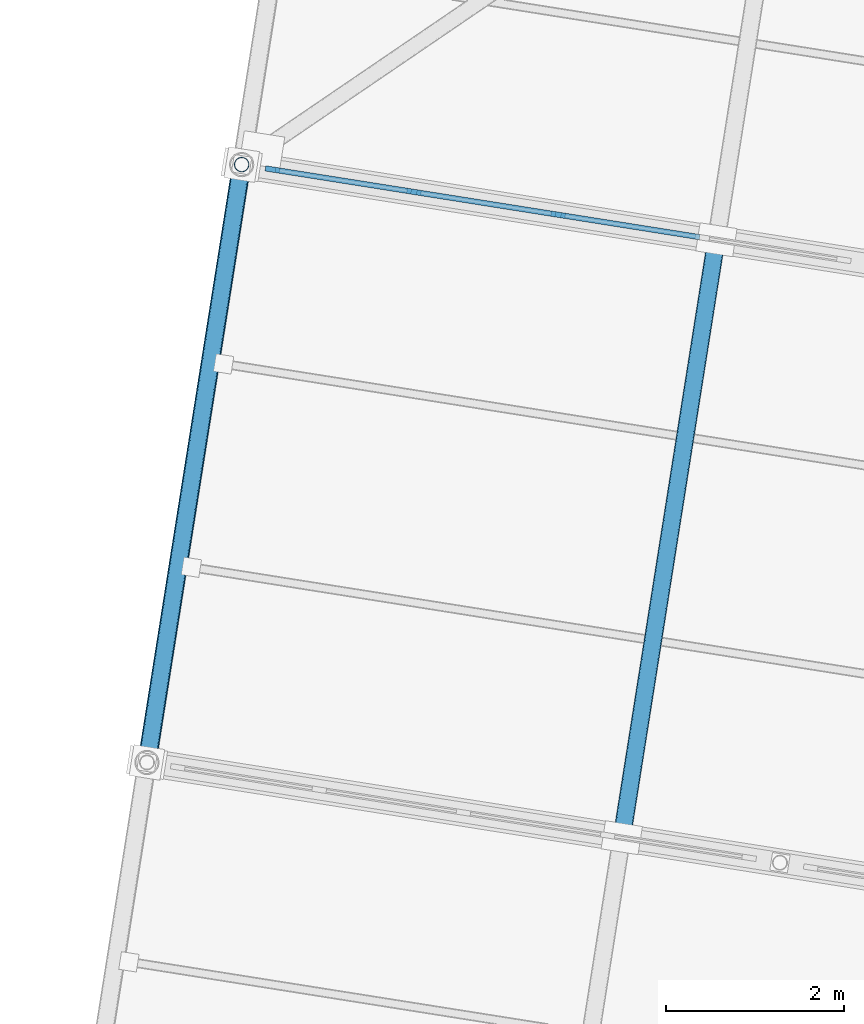
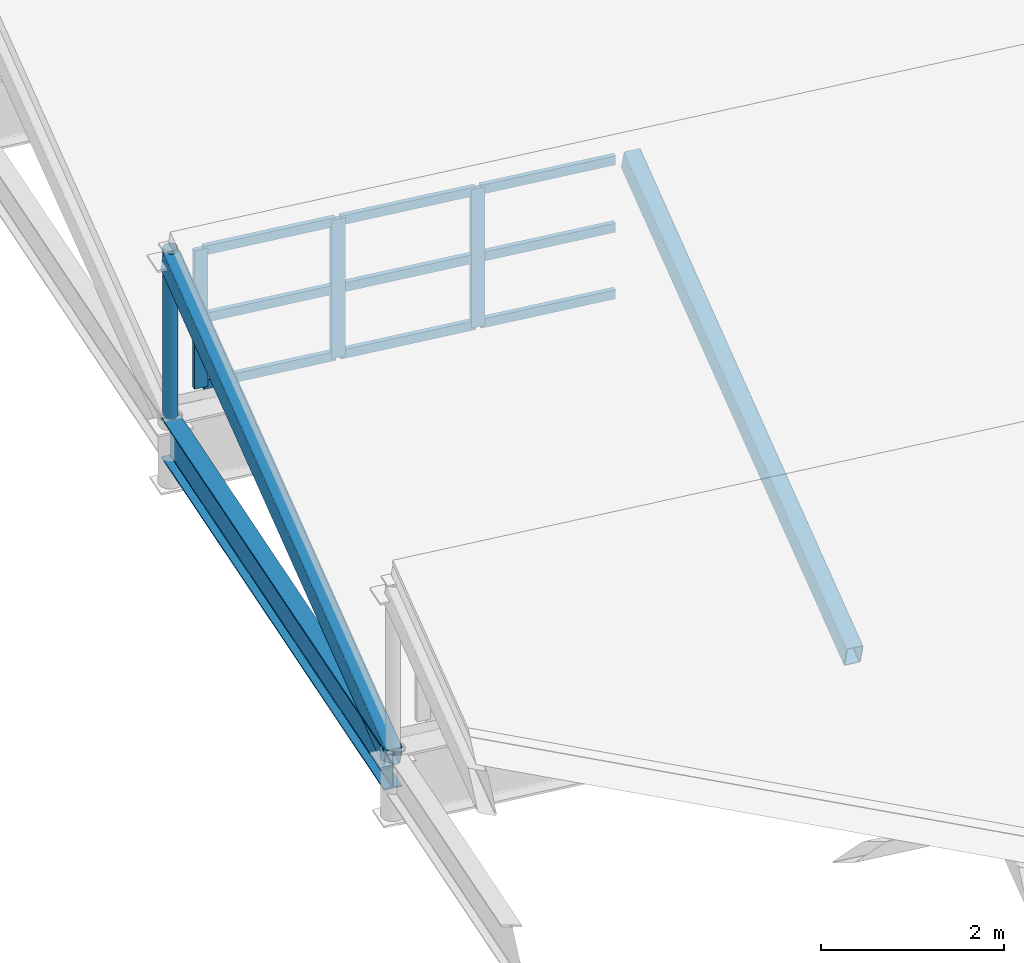
# One storey, part 43 of 65: 15 members, 1 beam, 1 element without a shape of its own.
"""IFC4 building model written with IfcOpenShell, lengths in metres."""

from ifc_helpers import new_model, si_unit, direction, frame, origin, origin_2d, place, context, subcontext, project, spatial, rectangle, hollow_rectangle, hollow_circle, i_section, extrude, material, material_profile, profile_set, type_object, element, aggregate, save


model = new_model("IFC4")

# Units and contexts
model_context = context("Model", 3, precision=1e-05, world=origin(), true_north=direction((0.0, 1.0)))
body_context = subcontext(model_context, "Body", "Model", "MODEL_VIEW")
ifc_project = project(units=[si_unit("LENGTHUNIT", "METRE"), si_unit("AREAUNIT", "SQUARE_METRE"), si_unit("VOLUMEUNIT", "CUBIC_METRE"), si_unit("PLANEANGLEUNIT", "RADIAN"), si_unit("MASSUNIT", "GRAM", prefix="KILO")], contexts=[model_context])

# Site, building, storey
site_placement = place(None, origin())
site = spatial("IfcSite", under=ifc_project, at=site_placement, CompositionType="ELEMENT")
building_placement = place(site_placement, origin())
building = spatial("IfcBuilding", under=site, at=building_placement, Name="Cinderway Yard Community Centre", CompositionType="ELEMENT")
storey_placement = place(building_placement, frame((0.0, 0.0, 24.300048828125)))
storey = spatial("IfcBuildingStorey", under=building, at=storey_placement, Name="RF", CompositionType="ELEMENT", Elevation=24.300048828125)

# Curtain wall, members
ifc_material_1 = material(Name="Aluminium 6063-T6", Category="aluminium")
curtain_wall_type = type_object("IfcCurtainWallType", Name="ENV-CW-TYPE-23", PredefinedType="USERDEFINED", material=ifc_material_1)
curtain_wall_placement = place(storey_placement, origin())
curtain_wall = element("IfcCurtainWall", 1, at=curtain_wall_placement, inside=storey, type_object=curtain_wall_type, Name="Sawtooth North-Light Clerestory ENV-CW-RF-ST-0084", ObjectType="GLAZED CURTAIN WALL", PredefinedType="USERDEFINED")
ifc_material_profile_1 = material_profile(ifc_material_1, rectangle(XDim=0.06005859375, YDim=0.159912109375, at=origin_2d()), Name="Aluminium 6063-T6")
ifc_profile_set_1 = profile_set([ifc_material_profile_1], Name="Aluminium 6063-T6")
member_type_1 = type_object("IfcMemberType", Name="ENV-CW-MULL-150", PredefinedType="MULLION", material=ifc_profile_set_1)
member_1_placement = place(storey_placement, frame((123.66455078125, 71.5263671875, -10.199951171875), z_axis=(0.0, 0.0, 1.0), x_axis=(0.15640876877, 0.987692410142, 0.0)))
member_1 = element("IfcMember", 2, at=member_1_placement, type_object=member_type_1, Name="CW-23 mullion 1", PredefinedType="MULLION", context=body_context, shape_type="SweptSolid", body=[
    extrude(rectangle(XDim=0.06005859375, YDim=0.159912109375, at=origin_2d()), origin(), (0.0, 0.0, 1.0), 1.849853515625),
])
member_2_placement = place(storey_placement, frame((125.254638671875, 71.2744140625, -10.199951171875), z_axis=(0.0, 0.0, 1.0), x_axis=(0.15640876877, 0.987692410142, 0.0)))
member_2 = element("IfcMember", 3, at=member_2_placement, type_object=member_type_1, Name="CW-23 mullion 2", PredefinedType="MULLION", context=body_context, shape_type="SweptSolid", body=[
    extrude(rectangle(XDim=0.06005859375, YDim=0.159912109375, at=origin_2d()), origin(), (0.0, 0.0, 1.0), 1.849853515625),
])
member_3_placement = place(storey_placement, frame((126.87451171875, 71.01806640625, -10.199951171875), z_axis=(0.0, 0.0, 1.0), x_axis=(0.15640876877, 0.987692410142, 0.0)))
member_3 = element("IfcMember", 4, at=member_3_placement, type_object=member_type_1, Name="CW-23 mullion 3", PredefinedType="MULLION", context=body_context, shape_type="SweptSolid", body=[
    extrude(rectangle(XDim=0.06005859375, YDim=0.159912109375, at=origin_2d()), origin(), (0.0, 0.0, 1.0), 1.849853515625),
])
ifc_material_profile_2 = material_profile(ifc_material_1, rectangle(XDim=0.06005859375, YDim=0.1201171875, at=origin_2d()), Name="Aluminium 6063-T6")
ifc_profile_set_2 = profile_set([ifc_material_profile_2], Name="Aluminium 6063-T6")
member_type_2 = type_object("IfcMemberType", Name="ENV-CW-TRAN-110", PredefinedType="USERDEFINED", material=ifc_profile_set_2)
member_4_placement = place(storey_placement, frame((123.6943359375, 71.521728515625, -10.170166015625), z_axis=(0.987690055006, -0.15642364029, 0.0), x_axis=(0.15642364029, 0.987690055006, 0.0)))
member_4 = element("IfcMember", 5, at=member_4_placement, type_object=member_type_2, Name="CW-23 transom 1.1", ObjectType="TRANSOM", PredefinedType="USERDEFINED", context=body_context, shape_type="SweptSolid", body=[
    extrude(rectangle(XDim=0.06005859375, YDim=0.1201171875, at=origin_2d()), origin(), (0.0, 0.0, 1.0), 1.5498046875),
])
member_5_placement = place(storey_placement, frame((123.6943359375, 71.521728515625, -9.280029296875), z_axis=(0.987690055006, -0.15642364029, 0.0), x_axis=(0.15642364029, 0.987690055006, 0.0)))
member_5 = element("IfcMember", 6, at=member_5_placement, type_object=member_type_2, Name="CW-23 transom 1.2", ObjectType="TRANSOM", PredefinedType="USERDEFINED", context=body_context, shape_type="SweptSolid", body=[
    extrude(rectangle(XDim=0.06005859375, YDim=0.1201171875, at=origin_2d()), origin(), (0.0, 0.0, 1.0), 1.5498046875),
])
member_6_placement = place(storey_placement, frame((123.6943359375, 71.521728515625, -8.380126953125), z_axis=(0.987690055006, -0.15642364029, 0.0), x_axis=(0.15642364029, 0.987690055006, 0.0)))
member_6 = element("IfcMember", 7, at=member_6_placement, type_object=member_type_2, Name="CW-23 transom 1.3", ObjectType="TRANSOM", PredefinedType="USERDEFINED", context=body_context, shape_type="SweptSolid", body=[
    extrude(rectangle(XDim=0.06005859375, YDim=0.1201171875, at=origin_2d()), origin(), (0.0, 0.0, 1.0), 1.5498046875),
])
member_7_placement = place(storey_placement, frame((125.284423828125, 71.269775390625, -10.170166015625), z_axis=(0.987697729788, -0.156375172488, 0.0), x_axis=(0.156375172488, 0.987697729788, 0.0)))
member_7 = element("IfcMember", 8, at=member_7_placement, type_object=member_type_2, Name="CW-23 transom 2.1", ObjectType="TRANSOM", PredefinedType="USERDEFINED", context=body_context, shape_type="SweptSolid", body=[
    extrude(rectangle(XDim=0.06005859375, YDim=0.1201171875, at=origin_2d()), origin(), (0.0, 0.0, 1.0), 1.580078125),
])
member_8_placement = place(storey_placement, frame((125.284423828125, 71.269775390625, -9.280029296875), z_axis=(0.987697729788, -0.156375172488, 0.0), x_axis=(0.156375172488, 0.987697729788, 0.0)))
member_8 = element("IfcMember", 9, at=member_8_placement, type_object=member_type_2, Name="CW-23 transom 2.2", ObjectType="TRANSOM", PredefinedType="USERDEFINED", context=body_context, shape_type="SweptSolid", body=[
    extrude(rectangle(XDim=0.06005859375, YDim=0.1201171875, at=origin_2d()), origin(), (0.0, 0.0, 1.0), 1.580078125),
])
member_9_placement = place(storey_placement, frame((125.284423828125, 71.269775390625, -8.380126953125), z_axis=(0.987697729788, -0.156375172488, 0.0), x_axis=(0.156375172488, 0.987697729788, 0.0)))
member_9 = element("IfcMember", 10, at=member_9_placement, type_object=member_type_2, Name="CW-23 transom 2.3", ObjectType="TRANSOM", PredefinedType="USERDEFINED", context=body_context, shape_type="SweptSolid", body=[
    extrude(rectangle(XDim=0.06005859375, YDim=0.1201171875, at=origin_2d()), origin(), (0.0, 0.0, 1.0), 1.580078125),
])
member_10_placement = place(storey_placement, frame((126.904052734375, 71.013427734375, -10.170166015625), z_axis=(0.98767385289, -0.156525909414, 0.0), x_axis=(0.156525909414, 0.98767385289, 0.0)))
member_10 = element("IfcMember", 11, at=member_10_placement, type_object=member_type_2, Name="CW-23 transom 3.1", ObjectType="TRANSOM", PredefinedType="USERDEFINED", context=body_context, shape_type="SweptSolid", body=[
    extrude(rectangle(XDim=0.06005859375, YDim=0.1201171875, at=origin_2d()), origin(), (0.0, 0.0, 1.0), 1.580078125),
])
member_11_placement = place(storey_placement, frame((126.904052734375, 71.013427734375, -9.280029296875), z_axis=(0.98767385289, -0.156525909414, 0.0), x_axis=(0.156525909414, 0.98767385289, 0.0)))
member_11 = element("IfcMember", 12, at=member_11_placement, type_object=member_type_2, Name="CW-23 transom 3.2", ObjectType="TRANSOM", PredefinedType="USERDEFINED", context=body_context, shape_type="SweptSolid", body=[
    extrude(rectangle(XDim=0.06005859375, YDim=0.1201171875, at=origin_2d()), origin(), (0.0, 0.0, 1.0), 1.580078125),
])
member_12_placement = place(storey_placement, frame((126.904052734375, 71.013427734375, -8.380126953125), z_axis=(0.98767385289, -0.156525909414, 0.0), x_axis=(0.156525909414, 0.98767385289, 0.0)))
member_12 = element("IfcMember", 13, at=member_12_placement, type_object=member_type_2, Name="CW-23 transom 3.3", ObjectType="TRANSOM", PredefinedType="USERDEFINED", context=body_context, shape_type="SweptSolid", body=[
    extrude(rectangle(XDim=0.06005859375, YDim=0.1201171875, at=origin_2d()), origin(), (0.0, 0.0, 1.0), 1.580078125),
])
aggregate(curtain_wall, [member_1, member_2, member_3, member_4, member_5, member_6, member_7, member_8, member_9, member_10, member_11, member_12])

# Beam
ifc_material_2 = material(Name="Steel S355", Category="steel")
ifc_material_profile_3 = material_profile(ifc_material_2, i_section(OverallWidth=0.2109375, OverallDepth=0.5390625, WebThickness=0.010986328125, FlangeThickness=0.017333984375, FilletRadius=0.013916015625, at=origin_2d()), Name="Steel S355")
ifc_profile_set_3 = profile_set([ifc_material_profile_3], Name="Steel S355")
beam_type = type_object("IfcBeamType", Name="STR-BM-W530X109", PredefinedType="BEAM", material=ifc_profile_set_3)
beam_placement = place(storey_placement, frame((122.2548828125, 64.864990234375, -10.77001953125), z_axis=(0.15650460011, 0.987677229739, 0.0), x_axis=(-0.987677229739, 0.15650460011, 0.0)))
element("IfcBeam", 14, at=beam_placement, inside=storey, type_object=beam_type, Name="Sports eave beam W STR-BM-RF-SB06-1022", PredefinedType="BEAM", context=body_context, shape_type="SweptSolid", body=[
    extrude(i_section(OverallWidth=0.2109375, OverallDepth=0.5390625, WebThickness=0.010986328125, FlangeThickness=0.017333984375, FilletRadius=0.013916015625, at=origin_2d()), origin(), (0.0, 0.0, 1.0), 6.7998046875),
])

# Members
ifc_material_profile_4 = material_profile(ifc_material_2, hollow_rectangle(XDim=0.199951171875, YDim=0.300048828125, WallThickness=0.012451171875, InnerFilletRadius=0.012451171875, OuterFilletRadius=0.02490234375, at=origin_2d()), Name="Steel S355")
ifc_profile_set_4 = profile_set([ifc_material_profile_4], Name="Steel S355")
member_type_3 = type_object("IfcMemberType", Name="STR-MEM-RAFTER-300", PredefinedType="RAFTER", material=ifc_profile_set_4)
member_13_placement = place(storey_placement, frame((122.2548828125, 64.864990234375, -10.6201171875), z_axis=(0.148905461455, 0.939720197099, 0.307819938786), x_axis=(-0.987677229739, 0.15650460011, 0.0)))
element("IfcMember", 15, at=member_13_placement, inside=storey, type_object=member_type_3, Name="Sawtooth raked rafter B5-000", PredefinedType="RAFTER", context=body_context, shape_type="SweptSolid", body=[
    extrude(hollow_rectangle(XDim=0.199951171875, YDim=0.300048828125, WallThickness=0.012451171875, InnerFilletRadius=0.012451171875, OuterFilletRadius=0.02490234375, at=origin_2d()), origin(), (0.0, 0.0, 1.0), 7.14697265625),
])
member_14_placement = place(storey_placement, frame((127.589111328125, 64.02001953125, -10.6201171875), z_axis=(0.148719342481, 0.939760052754, 0.307788239573), x_axis=(-0.987708473463, 0.15630729813, 0.0)))
element("IfcMember", 16, at=member_14_placement, inside=storey, type_object=member_type_3, Name="Sawtooth raked rafter B5-054", PredefinedType="RAFTER", context=body_context, shape_type="SweptSolid", body=[
    extrude(hollow_rectangle(XDim=0.199951171875, YDim=0.300048828125, WallThickness=0.012451171875, InnerFilletRadius=0.012451171875, OuterFilletRadius=0.02490234375, at=origin_2d()), origin(), (0.0, 0.0, 1.0), 7.147705078125),
])
ifc_material_profile_5 = material_profile(ifc_material_2, hollow_circle(Radius=0.084228515625, WallThickness=0.008056640625, at=origin_2d()), Name="Steel S355")
ifc_profile_set_5 = profile_set([ifc_material_profile_5], Name="Steel S355")
member_type_4 = type_object("IfcMemberType", Name="STR-MEM-STRUT-CHS168", PredefinedType="STRUT", material=ifc_profile_set_5)
member_15_placement = place(storey_placement, frame((123.319091796875, 71.5810546875, -10.5), z_axis=(0.0, 0.0, 1.0), x_axis=(1.0, 0.0, 0.0)))
element("IfcMember", 17, at=member_15_placement, inside=storey, type_object=member_type_4, Name="Sawtooth kingpost B5-000", PredefinedType="STRUT", context=body_context, shape_type="SweptSolid", body=[
    extrude(hollow_circle(Radius=0.084228515625, WallThickness=0.008056640625, at=origin_2d()), origin(), (0.0, 0.0, 1.0), 2.25),
])

save(model, "model.ifc")
